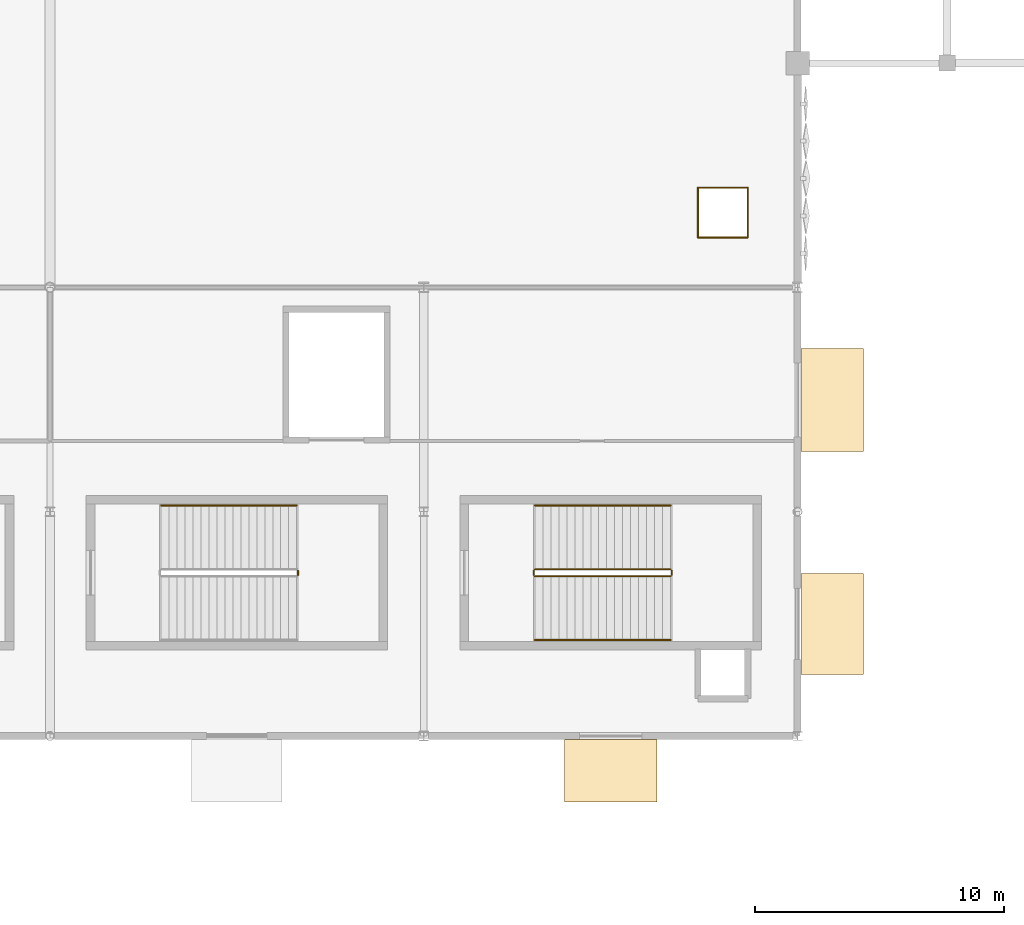
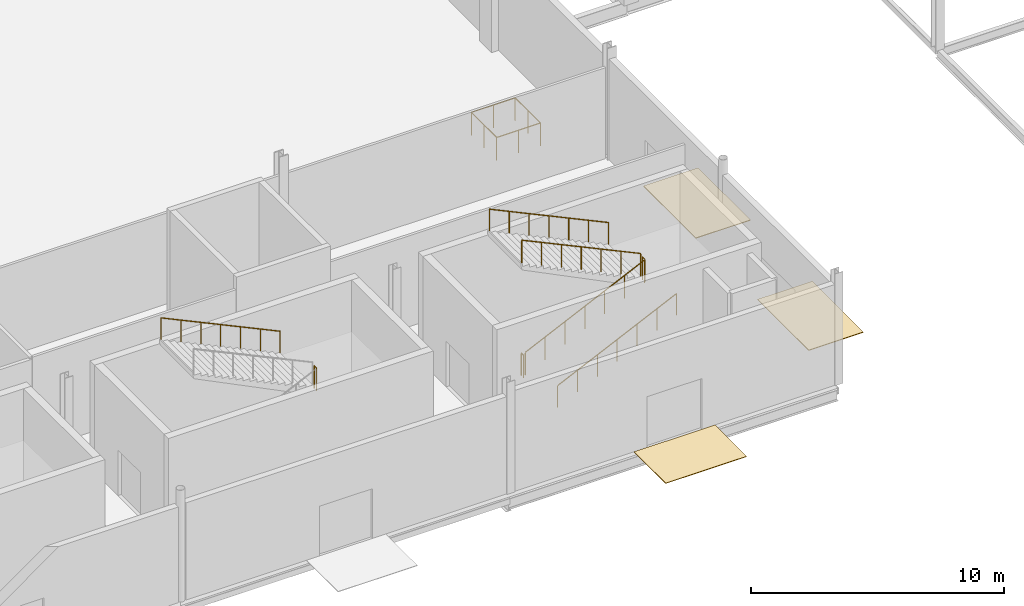
# One storey, part 76 of 94: 12 railings, 3 coverings.
"""IFC4 building model written with IfcOpenShell, lengths in metres."""

from ifc_helpers import new_model, si_unit, direction, frame, origin, origin_2d, place, context, subcontext, project, spatial, rectangle, circle, extrude, material, layer, layer_set, type_object, element, save


model = new_model("IFC4")

# Units and contexts
model_context = context("Model", 3, precision=1e-05, world=origin(), true_north=direction((0.0, 1.0)))
body_context = subcontext(model_context, "Body", "Model", "MODEL_VIEW")
ifc_project = project(units=[si_unit("LENGTHUNIT", "METRE"), si_unit("AREAUNIT", "SQUARE_METRE"), si_unit("VOLUMEUNIT", "CUBIC_METRE"), si_unit("PLANEANGLEUNIT", "RADIAN"), si_unit("MASSUNIT", "GRAM", prefix="KILO")], contexts=[model_context])

# Site, building, storey
site_placement = place(None, origin())
site = spatial("IfcSite", under=ifc_project, at=site_placement, CompositionType="ELEMENT")
building_placement = place(site_placement, origin())
building = spatial("IfcBuilding", under=site, at=building_placement, Name="Qamarlyn Nura Convention Centre", CompositionType="ELEMENT")
storey_placement = place(building_placement, origin())
storey = spatial("IfcBuildingStorey", under=building, at=storey_placement, Name="L00", CompositionType="ELEMENT", Elevation=0.0)

# Coverings
ifc_material_1 = material(Name="Polished coastal aggregate terrazzo")
ifc_layer = layer(ifc_material_1, 0.030029296875, Name="COV-FLOOR-TERR")
ifc_layer_set = layer_set([ifc_layer], Name="Polished coastal aggregate terrazzo")
covering_type = type_object("IfcCoveringType", Name="COV-FLOOR-TERR", PredefinedType="FLOORING", material=ifc_layer_set)
covering_1_placement = place(storey_placement, frame((112.501220703125, -1.389892578125, -0.02978515625), z_axis=(0.0, 0.0, 1.0), x_axis=(-1.0, 0.0, 0.0)))
element("IfcCovering", 1, at=covering_1_placement, inside=storey, type_object=covering_type, Name="Exterior exit threshold apron E-19", PredefinedType="FLOORING", context=body_context, shape_type="SweptSolid", body=[
    extrude(rectangle(XDim=3.699951171875, YDim=2.5, at=origin_2d()), origin(), (0.0, 0.0, 1.0), 0.030029296875),
])
covering_2_placement = place(storey_placement, frame((121.389892578125, 4.5, -0.02978515625), z_axis=(0.0, 0.0, 1.0), x_axis=(0.0, -1.0, 0.0)))
element("IfcCovering", 2, at=covering_2_placement, inside=storey, type_object=covering_type, Name="Exterior exit threshold apron E-23", PredefinedType="FLOORING", context=body_context, shape_type="SweptSolid", body=[
    extrude(rectangle(XDim=4.050048828125, YDim=2.5, at=origin_2d()), origin(), (0.0, 0.0, 1.0), 0.030029296875),
])
covering_3_placement = place(storey_placement, frame((121.389892578125, 13.482666015625, -0.02978515625), z_axis=(0.0, 0.0, 1.0), x_axis=(0.0, -1.0, 0.0)))
element("IfcCovering", 3, at=covering_3_placement, inside=storey, type_object=covering_type, Name="Exterior exit threshold apron E-24", PredefinedType="FLOORING", context=body_context, shape_type="SweptSolid", body=[
    extrude(rectangle(XDim=4.14990234375, YDim=2.5, at=origin_2d()), origin(), (0.0, 0.0, 1.0), 0.030029296875),
])

# Railings
ifc_material_2 = material(Name="Marine Grade 316 stainless steel", Category="steel")
railing_type_1 = type_object("IfcRailingType", Name="GRD-STAIR-112", PredefinedType="BALUSTRADE", material=ifc_material_2)
railing_1_placement = place(storey_placement, frame((99.949951171875, 6.4599609375, 2.699951171875)))
element("IfcRailing", 4, at=railing_1_placement, inside=storey, type_object=railing_type_1, Name="L00 ST-07 stair guard 2", PredefinedType="BALUSTRADE", context=body_context, shape_type="SweptSolid", body=[
    extrude(circle(Radius=0.02392578125, at=origin_2d()), frame((0.0, 0.0, 1.09619140625), z_axis=(0.0, 1.0, 0.0), x_axis=(-1.0, 0.0, 0.0)), (0.0, 0.0, 1.0), 0.179931640625),
    extrude(circle(Radius=0.02099609375, at=origin_2d()), origin(), (0.0, 0.0, 1.0), 1.070068359375),
    extrude(circle(Radius=0.02099609375, at=origin_2d()), frame((0.0, 0.179931640625, 0.0)), (0.0, 0.0, 1.0), 1.070068359375),
])
railing_2_placement = place(storey_placement, frame((109.4599609375, 6.409912109375, 0.14990234375)))
element("IfcRailing", 5, at=railing_2_placement, inside=storey, type_object=railing_type_1, Name="L00 ST-08 stair guard 1", PredefinedType="BALUSTRADE", context=body_context, shape_type="SweptSolid", body=[
    extrude(circle(Radius=0.02392578125, at=origin_2d()), frame((0.0, 0.0, 1.09619140625), z_axis=(0.90545405566, 0.0, 0.424444287379), x_axis=(0.0, 1.0, 0.0)), (0.0, 0.0, 1.0), 6.008056640625),
    extrude(circle(Radius=0.02099609375, at=origin_2d()), origin(), (0.0, 0.0, 1.0), 1.070068359375),
    extrude(circle(Radius=0.02099609375, at=origin_2d()), frame((0.90673828125, 0.0, 0.425048828125)), (0.0, 0.0, 1.0), 1.070068359375),
    extrude(circle(Radius=0.02099609375, at=origin_2d()), frame((1.813232421875, 0.0, 0.85009765625)), (0.0, 0.0, 1.0), 1.070068359375),
    extrude(circle(Radius=0.02099609375, at=origin_2d()), frame((2.719970703125, 0.0, 1.27490234375)), (0.0, 0.0, 1.0), 1.070068359375),
    extrude(circle(Radius=0.02099609375, at=origin_2d()), frame((3.626708984375, 0.0, 1.699951171875)), (0.0, 0.0, 1.0), 1.070068359375),
    extrude(circle(Radius=0.02099609375, at=origin_2d()), frame((4.533203125, 0.0, 2.125)), (0.0, 0.0, 1.0), 1.070068359375),
    extrude(circle(Radius=0.02099609375, at=origin_2d()), frame((5.43994140625, 0.0, 2.550048828125)), (0.0, 0.0, 1.0), 1.070068359375),
])
railing_3_placement = place(storey_placement, frame((114.949951171875, 6.4599609375, 2.699951171875)))
element("IfcRailing", 6, at=railing_3_placement, inside=storey, type_object=railing_type_1, Name="L00 ST-08 stair guard 2", PredefinedType="BALUSTRADE", context=body_context, shape_type="SweptSolid", body=[
    extrude(circle(Radius=0.02392578125, at=origin_2d()), frame((0.0, 0.0, 1.09619140625), z_axis=(0.0, 1.0, 0.0), x_axis=(-1.0, 0.0, 0.0)), (0.0, 0.0, 1.0), 0.179931640625),
    extrude(circle(Radius=0.02099609375, at=origin_2d()), origin(), (0.0, 0.0, 1.0), 1.070068359375),
    extrude(circle(Radius=0.02099609375, at=origin_2d()), frame((0.0, 0.179931640625, 0.0)), (0.0, 0.0, 1.0), 1.070068359375),
])
railing_4_placement = place(storey_placement, frame((114.89990234375, 6.68994140625, 2.85009765625)))
element("IfcRailing", 7, at=railing_4_placement, inside=storey, type_object=railing_type_1, Name="L00 ST-08 stair guard 3", PredefinedType="BALUSTRADE", context=body_context, shape_type="SweptSolid", body=[
    extrude(circle(Radius=0.02392578125, at=origin_2d()), frame((0.0, 0.0, 1.09619140625), z_axis=(-0.90546967238, 0.0, 0.424410971113), x_axis=(0.0, -1.0, 0.0)), (0.0, 0.0, 1.0), 6.0078125),
    extrude(circle(Radius=0.02099609375, at=origin_2d()), origin(), (0.0, 0.0, 1.0), 1.070068359375),
    extrude(circle(Radius=0.02099609375, at=origin_2d()), frame((-0.90673828125, 0.0, 0.425048828125)), (0.0, 0.0, 1.0), 1.070068359375),
    extrude(circle(Radius=0.02099609375, at=origin_2d()), frame((-1.813232421875, 0.0, 0.849853515625)), (0.0, 0.0, 1.0), 1.070068359375),
    extrude(circle(Radius=0.02099609375, at=origin_2d()), frame((-2.719970703125, 0.0, 1.27490234375)), (0.0, 0.0, 1.0), 1.070068359375),
    extrude(circle(Radius=0.02099609375, at=origin_2d()), frame((-3.626708984375, 0.0, 1.699951171875)), (0.0, 0.0, 1.0), 1.070068359375),
    extrude(circle(Radius=0.02099609375, at=origin_2d()), frame((-4.533203125, 0.0, 2.124755859375)), (0.0, 0.0, 1.0), 1.070068359375),
    extrude(circle(Radius=0.02099609375, at=origin_2d()), frame((-5.43994140625, 0.0, 2.5498046875)), (0.0, 0.0, 1.0), 1.070068359375),
])
railing_5_placement = place(storey_placement, frame((109.409912109375, 6.4599609375, 0.0)))
element("IfcRailing", 8, at=railing_5_placement, inside=storey, type_object=railing_type_1, Name="L00 ST-08 stair guard 4", PredefinedType="BALUSTRADE", context=body_context, shape_type="SweptSolid", body=[
    extrude(circle(Radius=0.02392578125, at=origin_2d()), frame((0.0, 0.0, 1.09619140625), z_axis=(0.0, 1.0, 0.0), x_axis=(-1.0, 0.0, 0.0)), (0.0, 0.0, 1.0), 0.179931640625),
    extrude(circle(Radius=0.02099609375, at=origin_2d()), origin(), (0.0, 0.0, 1.0), 1.070068359375),
    extrude(circle(Radius=0.02099609375, at=origin_2d()), frame((0.0, 0.179931640625, 0.0)), (0.0, 0.0, 1.0), 1.070068359375),
])
railing_type_2 = type_object("IfcRailingType", Name="GRD-VOID-112", PredefinedType="BALUSTRADE", material=ifc_material_2)
railing_6_placement = place(storey_placement, frame((116.0, 22.0, 0.0)))
element("IfcRailing", 9, at=railing_6_placement, inside=storey, type_object=railing_type_2, Name="L00 slab edge balustrade guard 025", PredefinedType="BALUSTRADE", context=body_context, shape_type="SweptSolid", body=[
    extrude(circle(Radius=0.02392578125, at=origin_2d()), frame((0.0, 0.0, 1.09619140625), z_axis=(0.0, -1.0, 0.0), x_axis=(1.0, 0.0, 0.0)), (0.0, 0.0, 1.0), 2.0),
    extrude(circle(Radius=0.02099609375, at=origin_2d()), origin(), (0.0, 0.0, 1.0), 1.070068359375),
    extrude(circle(Radius=0.02099609375, at=origin_2d()), frame((0.0, -1.0, 0.0)), (0.0, 0.0, 1.0), 1.070068359375),
    extrude(circle(Radius=0.02099609375, at=origin_2d()), frame((0.0, -2.0, 0.0)), (0.0, 0.0, 1.0), 1.070068359375),
])
railing_7_placement = place(storey_placement, frame((116.0, 20.0, 0.0)))
element("IfcRailing", 10, at=railing_7_placement, inside=storey, type_object=railing_type_2, Name="L00 slab edge balustrade guard 026", PredefinedType="BALUSTRADE", context=body_context, shape_type="SweptSolid", body=[
    extrude(circle(Radius=0.02392578125, at=origin_2d()), frame((0.0, 0.0, 1.09619140625), z_axis=(1.0, 0.0, 0.0), x_axis=(0.0, 1.0, 0.0)), (0.0, 0.0, 1.0), 2.0),
    extrude(circle(Radius=0.02099609375, at=origin_2d()), origin(), (0.0, 0.0, 1.0), 1.070068359375),
    extrude(circle(Radius=0.02099609375, at=origin_2d()), frame((1.0, 0.0, 0.0)), (0.0, 0.0, 1.0), 1.070068359375),
    extrude(circle(Radius=0.02099609375, at=origin_2d()), frame((2.0, 0.0, 0.0)), (0.0, 0.0, 1.0), 1.070068359375),
])
railing_8_placement = place(storey_placement, frame((118.0, 20.0, 0.0)))
element("IfcRailing", 11, at=railing_8_placement, inside=storey, type_object=railing_type_2, Name="L00 slab edge balustrade guard 027", PredefinedType="BALUSTRADE", context=body_context, shape_type="SweptSolid", body=[
    extrude(circle(Radius=0.02392578125, at=origin_2d()), frame((0.0, 0.0, 1.09619140625), z_axis=(0.0, 1.0, 0.0), x_axis=(-1.0, 0.0, 0.0)), (0.0, 0.0, 1.0), 2.0),
    extrude(circle(Radius=0.02099609375, at=origin_2d()), origin(), (0.0, 0.0, 1.0), 1.070068359375),
    extrude(circle(Radius=0.02099609375, at=origin_2d()), frame((0.0, 1.0, 0.0)), (0.0, 0.0, 1.0), 1.070068359375),
    extrude(circle(Radius=0.02099609375, at=origin_2d()), frame((0.0, 2.0, 0.0)), (0.0, 0.0, 1.0), 1.070068359375),
])
railing_9_placement = place(storey_placement, frame((118.0, 22.0, 0.0)))
element("IfcRailing", 12, at=railing_9_placement, inside=storey, type_object=railing_type_2, Name="L00 slab edge balustrade guard 028", PredefinedType="BALUSTRADE", context=body_context, shape_type="SweptSolid", body=[
    extrude(circle(Radius=0.02392578125, at=origin_2d()), frame((0.0, 0.0, 1.09619140625), z_axis=(-1.0, 0.0, 0.0), x_axis=(0.0, -1.0, 0.0)), (0.0, 0.0, 1.0), 2.0),
    extrude(circle(Radius=0.02099609375, at=origin_2d()), origin(), (0.0, 0.0, 1.0), 1.070068359375),
    extrude(circle(Radius=0.02099609375, at=origin_2d()), frame((-1.0, 0.0, 0.0)), (0.0, 0.0, 1.0), 1.070068359375),
    extrude(circle(Radius=0.02099609375, at=origin_2d()), frame((-2.0, 0.0, 0.0)), (0.0, 0.0, 1.0), 1.070068359375),
])
railing_type_3 = type_object("IfcRailingType", Name="HRL-STAIR-090", PredefinedType="HANDRAIL", material=ifc_material_2)
railing_10_placement = place(storey_placement, frame((99.89990234375, 9.25, 3.002197265625)))
element("IfcRailing", 13, at=railing_10_placement, inside=storey, type_object=railing_type_3, Name="L00 ST-07 stair handrail 2", PredefinedType="HANDRAIL", context=body_context, shape_type="SweptSolid", body=[
    extrude(circle(Radius=0.02392578125, at=origin_2d()), frame((0.0, 0.0, 0.88818359375), z_axis=(-0.90545405566, 0.0, 0.424444287379), x_axis=(0.0, -1.0, 0.0)), (0.0, 0.0, 1.0), 6.008056640625),
    extrude(circle(Radius=0.02099609375, at=origin_2d()), frame((0.0, 0.0, -0.155029296875)), (0.0, 0.0, 1.0), 1.01708984375),
    extrude(circle(Radius=0.02099609375, at=origin_2d()), frame((-0.90673828125, 0.0, 0.27001953125)), (0.0, 0.0, 1.0), 1.01708984375),
    extrude(circle(Radius=0.02099609375, at=origin_2d()), frame((-1.813232421875, 0.0, 0.695068359375)), (0.0, 0.0, 1.0), 1.01708984375),
    extrude(circle(Radius=0.02099609375, at=origin_2d()), frame((-2.719970703125, 0.0, 1.1201171875)), (0.0, 0.0, 1.0), 1.01708984375),
    extrude(circle(Radius=0.02099609375, at=origin_2d()), frame((-3.626708984375, 0.0, 1.544921875)), (0.0, 0.0, 1.0), 1.01708984375),
    extrude(circle(Radius=0.02099609375, at=origin_2d()), frame((-4.533203125, 0.0, 1.969970703125)), (0.0, 0.0, 1.0), 1.01708984375),
    extrude(circle(Radius=0.02099609375, at=origin_2d()), frame((-5.43994140625, 0.0, 2.39501953125)), (0.0, 0.0, 1.0), 1.01708984375),
])
railing_11_placement = place(storey_placement, frame((109.4599609375, 3.85009765625, 0.30224609375)))
element("IfcRailing", 14, at=railing_11_placement, inside=storey, type_object=railing_type_3, Name="L00 ST-08 stair handrail 1", PredefinedType="HANDRAIL", context=body_context, shape_type="SweptSolid", body=[
    extrude(circle(Radius=0.02392578125, at=origin_2d()), frame((0.0, 0.0, 0.88818359375), z_axis=(0.90545405566, 0.0, 0.424444287379), x_axis=(0.0, 1.0, 0.0)), (0.0, 0.0, 1.0), 6.008056640625),
    extrude(circle(Radius=0.02099609375, at=origin_2d()), frame((0.0, 0.0, -0.155029296875)), (0.0, 0.0, 1.0), 1.01708984375),
    extrude(circle(Radius=0.02099609375, at=origin_2d()), frame((0.90673828125, 0.0, 0.27001953125)), (0.0, 0.0, 1.0), 1.01708984375),
    extrude(circle(Radius=0.02099609375, at=origin_2d()), frame((1.813232421875, 0.0, 0.695068359375)), (0.0, 0.0, 1.0), 1.01708984375),
    extrude(circle(Radius=0.02099609375, at=origin_2d()), frame((2.719970703125, 0.0, 1.1201171875)), (0.0, 0.0, 1.0), 1.01708984375),
    extrude(circle(Radius=0.02099609375, at=origin_2d()), frame((3.626708984375, 0.0, 1.544921875)), (0.0, 0.0, 1.0), 1.01708984375),
    extrude(circle(Radius=0.02099609375, at=origin_2d()), frame((4.533203125, 0.0, 1.969970703125)), (0.0, 0.0, 1.0), 1.01708984375),
    extrude(circle(Radius=0.02099609375, at=origin_2d()), frame((5.43994140625, 0.0, 2.39501953125)), (0.0, 0.0, 1.0), 1.01708984375),
])
railing_12_placement = place(storey_placement, frame((114.89990234375, 9.25, 3.002197265625)))
element("IfcRailing", 15, at=railing_12_placement, inside=storey, type_object=railing_type_3, Name="L00 ST-08 stair handrail 2", PredefinedType="HANDRAIL", context=body_context, shape_type="SweptSolid", body=[
    extrude(circle(Radius=0.02392578125, at=origin_2d()), frame((0.0, 0.0, 0.88818359375), z_axis=(-0.90545405566, 0.0, 0.424444287379), x_axis=(0.0, -1.0, 0.0)), (0.0, 0.0, 1.0), 6.008056640625),
    extrude(circle(Radius=0.02099609375, at=origin_2d()), frame((0.0, 0.0, -0.155029296875)), (0.0, 0.0, 1.0), 1.01708984375),
    extrude(circle(Radius=0.02099609375, at=origin_2d()), frame((-0.90673828125, 0.0, 0.27001953125)), (0.0, 0.0, 1.0), 1.01708984375),
    extrude(circle(Radius=0.02099609375, at=origin_2d()), frame((-1.813232421875, 0.0, 0.695068359375)), (0.0, 0.0, 1.0), 1.01708984375),
    extrude(circle(Radius=0.02099609375, at=origin_2d()), frame((-2.719970703125, 0.0, 1.1201171875)), (0.0, 0.0, 1.0), 1.01708984375),
    extrude(circle(Radius=0.02099609375, at=origin_2d()), frame((-3.626708984375, 0.0, 1.544921875)), (0.0, 0.0, 1.0), 1.01708984375),
    extrude(circle(Radius=0.02099609375, at=origin_2d()), frame((-4.533203125, 0.0, 1.969970703125)), (0.0, 0.0, 1.0), 1.01708984375),
    extrude(circle(Radius=0.02099609375, at=origin_2d()), frame((-5.43994140625, 0.0, 2.39501953125)), (0.0, 0.0, 1.0), 1.01708984375),
])

save(model, "model.ifc")
